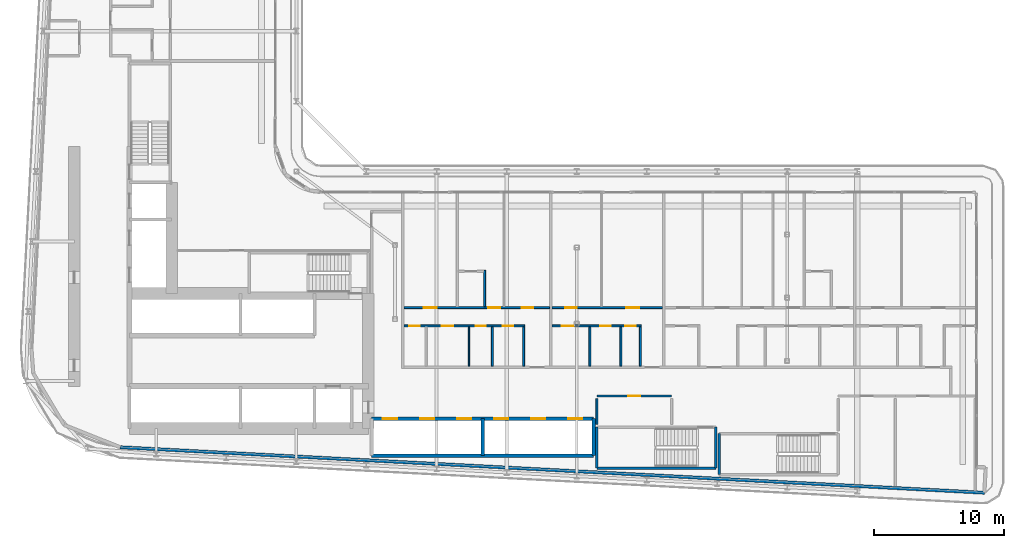
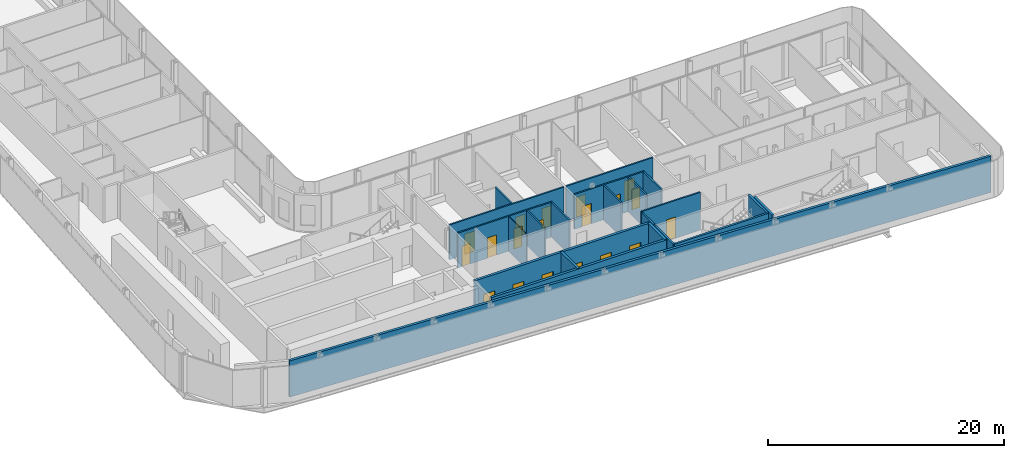
# One storey, part 13 of 25: 22 walls, 19 doors, 19 openings.
"""IFC4 building model written with IfcOpenShell, lengths in metres."""

from ifc_helpers import new_model, si_unit, direction, frame, frame_2d, origin, place, context, subcontext, project, spatial, rectangle, extrude, source, transform, mapped, material, layer, layer_set, type_object, element, fill, save


model = new_model("IFC4")

# Units and contexts
model_context = context("Model", 3, precision=1e-05, world=origin(), true_north=direction((0.0, 1.0)))
body_context = subcontext(model_context, "Body", "Model", "MODEL_VIEW")
ifc_project = project(units=[si_unit("LENGTHUNIT", "METRE"), si_unit("AREAUNIT", "SQUARE_METRE"), si_unit("VOLUMEUNIT", "CUBIC_METRE"), si_unit("PLANEANGLEUNIT", "RADIAN"), si_unit("MASSUNIT", "GRAM", prefix="KILO")], contexts=[model_context])

# Site, building, storey
site_placement = place(None, origin())
site = spatial("IfcSite", under=ifc_project, at=site_placement, CompositionType="ELEMENT")
building_placement = place(site_placement, origin())
building = spatial("IfcBuilding", under=site, at=building_placement, Name="Kheshtan School and Residences Tower", CompositionType="ELEMENT")
storey_placement = place(building_placement, frame((0.0, 0.0, 113.60009765625)))
storey = spatial("IfcBuildingStorey", under=building, at=storey_placement, Name="L26", CompositionType="ELEMENT", Elevation=113.60009765625)

# Walls
ifc_material_1 = material(Name="Concrete C40/50 with ceramic cladding and mineral wool insulation", Category="concrete")
ifc_layer_1 = layer(ifc_material_1, 0.25)
ifc_layer_set_1 = layer_set([ifc_layer_1], Name="External wall 250 ceramic clad")
wall_type_1 = type_object("IfcWallType", Name="External wall 250 ceramic clad", PredefinedType="SOLIDWALL", material=ifc_layer_set_1)
wall_1_placement = place(storey_placement, frame((100.5859375, 20.85009765625, 0.0), z_axis=(0.0, 0.0, 1.0), x_axis=(-0.99861746497, 0.052565755559, 0.0)))
element("IfcWall", 1, at=wall_1_placement, inside=storey, type_object=wall_type_1, Name="External wall L26 12", PredefinedType="SOLIDWALL", context=body_context, shape_type="SweptSolid", body=[
    extrude(rectangle(XDim=66.638916015625, YDim=0.25, at=frame_2d((33.3193359375, 0.0))), origin(), (0.0, 0.0, 1.0), 3.75),
])
ifc_material_2 = material(Name="Gypsum board on steel studs", Category="steel")
ifc_layer_2 = layer(ifc_material_2, 0.10009765625)
ifc_layer_set_2 = layer_set([ifc_layer_2], Name="Gypsum partition 100")
wall_type_2 = type_object("IfcWallType", Name="Gypsum partition 100", PredefinedType="PARTITIONING", material=ifc_layer_set_2)
wall_2_placement = place(storey_placement, frame((60.89990234375, 30.60009765625, 0.0), z_axis=(0.0, 0.0, 1.0), x_axis=(0.0, 1.0, 0.0)))
element("IfcWall", 2, at=wall_2_placement, inside=storey, type_object=wall_type_2, Name="Partition L26-039", PredefinedType="PARTITIONING", context=body_context, shape_type="SweptSolid", body=[
    extrude(rectangle(XDim=3.02490234375, YDim=0.10009765625, at=frame_2d((1.512451171875, 0.0))), origin(), (0.0, 0.0, 1.0), 3.599853515625),
])

# Wall, opening, door
ifc_material_3 = material(Name="Fire-board shaft wall system")
ifc_layer_3 = layer(ifc_material_3, 0.14990234375)
ifc_layer_set_3 = layer_set([ifc_layer_3], Name="Service room wall 150")
wall_type_3 = type_object("IfcWallType", Name="Service room wall 150", PredefinedType="PARTITIONING", material=ifc_layer_set_3)
wall_3_placement = place(storey_placement, frame((70.75, 28.300048828125, 0.0), z_axis=(0.0, 0.0, 1.0), x_axis=(1.0, 0.0, 0.0)))
wall_3 = element("IfcWall", 3, at=wall_3_placement, inside=storey, type_object=wall_type_3, Name="Service room wall", PredefinedType="PARTITIONING", context=body_context, shape_type="SweptSolid", body=[
    extrude(rectangle(XDim=5.760009765625, YDim=0.14990234375, at=frame_2d((2.8798828125, 0.0))), origin(), (0.0, 0.0, 1.0), 3.89990234375),
])
opening_1_placement = place(wall_3_placement, frame((2.429931640625, 0.0, 0.0)))
opening_1 = element("IfcOpeningElement", 4, at=opening_1_placement, cuts=wall_3, Name="Opening SR90", PredefinedType="OPENING", context=body_context, shape_type="SweptSolid", body=[
    extrude(rectangle(XDim=0.89990234375, YDim=2.199951171875, at=frame_2d((0.449951171875, 1.10009765625))), frame((0.0, 0.0849609375, 0.0), z_axis=(0.0, -1.0, 0.0), x_axis=(1.0, 0.0, 0.0)), (0.0, 0.0, 1.0), 0.169921875),
])
ifc_material_4 = material(Name="Steel door leaf, galvanised", Category="steel")
door_type_1 = type_object("IfcDoorType", Name="Service room door 900 steel 90 min", OperationType="SINGLE_SWING_LEFT", PredefinedType="DOOR", material=ifc_material_4)
shared_shape_1 = source(origin(), body_context, "Body", "SweptSolid", [
    extrude(rectangle(XDim=0.89990234375, YDim=2.199951171875, at=frame_2d((0.449951171875, 1.10009765625))), frame((0.0, 0.02490234375, 0.0), z_axis=(0.0, -1.0, 0.0), x_axis=(1.0, 0.0, 0.0)), (0.0, 0.0, 1.0), 0.050048828125),
])
door_1_placement = place(opening_1_placement, origin())
door_1 = element("IfcDoor", 5, at=door_1_placement, inside=storey, type_object=door_type_1, Name="Service room door", OperationType="SINGLE_SWING_LEFT", OverallHeight=2.199951171875, OverallWidth=0.89990234375, PredefinedType="DOOR", context=body_context, shape_type="MappedRepresentation", body=[
    mapped(shared_shape_1, transform((0.0, 0.0, 0.0), x_axis=(1.0, 0.0, 0.0), y_axis=(0.0, 1.0, 0.0), z_axis=(0.0, 0.0, 1.0), scale=1.0)),
])
fill(opening_1, door_1)

# Walls
wall_4_placement = place(storey_placement, frame((70.75, 26.1201171875, 0.0), z_axis=(0.0, 0.0, 1.0), x_axis=(0.0, 1.0, 0.0)))
element("IfcWall", 6, at=wall_4_placement, inside=storey, type_object=wall_type_3, Name="Service room wall", PredefinedType="PARTITIONING", context=body_context, shape_type="SweptSolid", body=[
    extrude(rectangle(XDim=1.98486328125, YDim=0.14990234375, at=frame_2d((0.992431640625, 0.0))), origin(), (0.0, 0.0, 1.0), 3.89990234375),
])
ifc_layer_4 = layer(ifc_material_3, 0.25)
ifc_layer_set_4 = layer_set([ifc_layer_4], Name="Shaft lining wall 250")
wall_type_4 = type_object("IfcWallType", Name="Shaft lining wall 250", PredefinedType="PARTITIONING", material=ifc_layer_set_4)
for number, where, z_axis, x_axis, name in (
    (7, (61.949951171875, 23.699951171875, 0.0), (0.0, 0.0, 1.0), (0.0, 1.0, 0.0), "Shaft lining wall"),
    (8, (70.5, 23.699951171875, 0.0), (0.0, 0.0, 1.0), (0.0, 1.0, 0.0), "Shaft lining wall"),
):
    element("IfcWall", number, at=place(storey_placement, frame(where, z_axis=z_axis, x_axis=x_axis)), inside=storey, type_object=wall_type_4, Name=name, PredefinedType="PARTITIONING", context=body_context, shape_type="SweptSolid", body=[
        extrude(rectangle(XDim=2.85009765625, YDim=0.25, at=frame_2d((1.425048828125, 0.0))), origin(), (0.0, 0.0, 1.0), 3.89990234375),
    ])
wall_5_placement = place(storey_placement, frame((53.39990234375, 23.699951171875, 0.0), z_axis=(0.0, 0.0, 1.0), x_axis=(1.0, 0.0, 0.0)))
element("IfcWall", 9, at=wall_5_placement, inside=storey, type_object=wall_type_4, Name="Shaft lining wall", PredefinedType="PARTITIONING", context=body_context, shape_type="SweptSolid", body=[
    extrude(rectangle(XDim=17.10009765625, YDim=0.25, at=frame_2d((8.550048828125, 0.0))), origin(), (0.0, 0.0, 1.0), 3.89990234375),
])

# Wall, openings, doors
wall_6_placement = place(storey_placement, frame((53.39990234375, 26.550048828125, 0.0), z_axis=(0.0, 0.0, 1.0), x_axis=(1.0, 0.0, 0.0)))
wall_6 = element("IfcWall", 10, at=wall_6_placement, inside=storey, type_object=wall_type_4, Name="Shaft lining wall", PredefinedType="PARTITIONING", context=body_context, shape_type="SweptSolid", body=[
    extrude(rectangle(XDim=17.10009765625, YDim=0.25, at=frame_2d((8.550048828125, 0.0))), origin(), (0.0, 0.0, 1.0), 3.89990234375),
])
opening_2_placement = place(wall_6_placement, frame((0.875, 0.0, 0.0)))
opening_2 = element("IfcOpeningElement", 11, at=opening_2_placement, cuts=wall_6, Name="Opening LD", PredefinedType="OPENING", context=body_context, shape_type="SweptSolid", body=[
    extrude(rectangle(XDim=1.10009765625, YDim=2.199951171875, at=frame_2d((0.550048828125, 1.10009765625))), frame((0.0, 0.135009765625, 0.0), z_axis=(0.0, -1.0, 0.0), x_axis=(1.0, 0.0, 0.0)), (0.0, 0.0, 1.0), 0.27001953125),
])
opening_3_placement = place(wall_6_placement, frame((3.72509765625, 0.0, 0.0)))
opening_3 = element("IfcOpeningElement", 12, at=opening_3_placement, cuts=wall_6, Name="Opening LD", PredefinedType="OPENING", context=body_context, shape_type="SweptSolid", body=[
    extrude(rectangle(XDim=1.10009765625, YDim=2.199951171875, at=frame_2d((0.550048828125, 1.10009765625))), frame((0.0, 0.135009765625, 0.0), z_axis=(0.0, -1.0, 0.0), x_axis=(1.0, 0.0, 0.0)), (0.0, 0.0, 1.0), 0.27001953125),
])
opening_4_placement = place(wall_6_placement, frame((6.574951171875, 0.0, 0.0)))
opening_4 = element("IfcOpeningElement", 13, at=opening_4_placement, cuts=wall_6, Name="Opening LD", PredefinedType="OPENING", context=body_context, shape_type="SweptSolid", body=[
    extrude(rectangle(XDim=1.10009765625, YDim=2.199951171875, at=frame_2d((0.550048828125, 1.10009765625))), frame((0.0, 0.135009765625, 0.0), z_axis=(0.0, -1.0, 0.0), x_axis=(1.0, 0.0, 0.0)), (0.0, 0.0, 1.0), 0.27001953125),
])
opening_5_placement = place(wall_6_placement, frame((9.425048828125, 0.0, 0.0)))
opening_5 = element("IfcOpeningElement", 14, at=opening_5_placement, cuts=wall_6, Name="Opening LD", PredefinedType="OPENING", context=body_context, shape_type="SweptSolid", body=[
    extrude(rectangle(XDim=1.10009765625, YDim=2.199951171875, at=frame_2d((0.550048828125, 1.10009765625))), frame((0.0, 0.135009765625, 0.0), z_axis=(0.0, -1.0, 0.0), x_axis=(1.0, 0.0, 0.0)), (0.0, 0.0, 1.0), 0.27001953125),
])
opening_6_placement = place(wall_6_placement, frame((12.27490234375, 0.0, 0.0)))
opening_6 = element("IfcOpeningElement", 15, at=opening_6_placement, cuts=wall_6, Name="Opening LD", PredefinedType="OPENING", context=body_context, shape_type="SweptSolid", body=[
    extrude(rectangle(XDim=1.10009765625, YDim=2.199951171875, at=frame_2d((0.550048828125, 1.10009765625))), frame((0.0, 0.135009765625, 0.0), z_axis=(0.0, -1.0, 0.0), x_axis=(1.0, 0.0, 0.0)), (0.0, 0.0, 1.0), 0.27001953125),
])
opening_7_placement = place(wall_6_placement, frame((15.125, 0.0, 0.0)))
opening_7 = element("IfcOpeningElement", 16, at=opening_7_placement, cuts=wall_6, Name="Opening LD", PredefinedType="OPENING", context=body_context, shape_type="SweptSolid", body=[
    extrude(rectangle(XDim=1.10009765625, YDim=2.199951171875, at=frame_2d((0.550048828125, 1.10009765625))), frame((0.0, 0.135009765625, 0.0), z_axis=(0.0, -1.0, 0.0), x_axis=(1.0, 0.0, 0.0)), (0.0, 0.0, 1.0), 0.27001953125),
])
ifc_material_5 = material(Name="Stainless steel door leaves", Category="steel")
door_type_2 = type_object("IfcDoorType", Name="Lift landing door 1100", OperationType="SLIDING_TO_LEFT", PredefinedType="DOOR", material=ifc_material_5)
shared_shape_2 = source(origin(), body_context, "Body", "SweptSolid", [
    extrude(rectangle(XDim=1.10009765625, YDim=2.199951171875, at=frame_2d((0.550048828125, 1.10009765625))), frame((0.0, 0.02490234375, 0.0), z_axis=(0.0, -1.0, 0.0), x_axis=(1.0, 0.0, 0.0)), (0.0, 0.0, 1.0), 0.050048828125),
])
door_2_placement = place(opening_2_placement, origin())
door_2 = element("IfcDoor", 17, at=door_2_placement, inside=storey, type_object=door_type_2, Name="Lift P1 landing door", OperationType="SLIDING_TO_LEFT", OverallHeight=2.199951171875, OverallWidth=1.10009765625, PredefinedType="DOOR", context=body_context, shape_type="MappedRepresentation", body=[
    mapped(shared_shape_2, transform((0.0, 0.0, 0.0), x_axis=(1.0, 0.0, 0.0), y_axis=(0.0, 1.0, 0.0), z_axis=(0.0, 0.0, 1.0), scale=1.0)),
])
fill(opening_2, door_2)
door_3_placement = place(opening_3_placement, origin())
door_3 = element("IfcDoor", 18, at=door_3_placement, inside=storey, type_object=door_type_2, Name="Lift P2 landing door", OperationType="SLIDING_TO_LEFT", OverallHeight=2.199951171875, OverallWidth=1.10009765625, PredefinedType="DOOR", context=body_context, shape_type="MappedRepresentation", body=[
    mapped(shared_shape_2, transform((0.0, 0.0, 0.0), x_axis=(1.0, 0.0, 0.0), y_axis=(0.0, 1.0, 0.0), z_axis=(0.0, 0.0, 1.0), scale=1.0)),
])
fill(opening_3, door_3)
door_4_placement = place(opening_4_placement, origin())
door_4 = element("IfcDoor", 19, at=door_4_placement, inside=storey, type_object=door_type_2, Name="Lift P3 landing door", OperationType="SLIDING_TO_LEFT", OverallHeight=2.199951171875, OverallWidth=1.10009765625, PredefinedType="DOOR", context=body_context, shape_type="MappedRepresentation", body=[
    mapped(shared_shape_2, transform((0.0, 0.0, 0.0), x_axis=(1.0, 0.0, 0.0), y_axis=(0.0, 1.0, 0.0), z_axis=(0.0, 0.0, 1.0), scale=1.0)),
])
fill(opening_4, door_4)
door_5_placement = place(opening_5_placement, origin())
door_5 = element("IfcDoor", 20, at=door_5_placement, inside=storey, type_object=door_type_2, Name="Lift P4 landing door", OperationType="SLIDING_TO_LEFT", OverallHeight=2.199951171875, OverallWidth=1.10009765625, PredefinedType="DOOR", context=body_context, shape_type="MappedRepresentation", body=[
    mapped(shared_shape_2, transform((0.0, 0.0, 0.0), x_axis=(1.0, 0.0, 0.0), y_axis=(0.0, 1.0, 0.0), z_axis=(0.0, 0.0, 1.0), scale=1.0)),
])
fill(opening_5, door_5)
door_6_placement = place(opening_6_placement, origin())
door_6 = element("IfcDoor", 21, at=door_6_placement, inside=storey, type_object=door_type_2, Name="Lift P5 landing door", OperationType="SLIDING_TO_LEFT", OverallHeight=2.199951171875, OverallWidth=1.10009765625, PredefinedType="DOOR", context=body_context, shape_type="MappedRepresentation", body=[
    mapped(shared_shape_2, transform((0.0, 0.0, 0.0), x_axis=(1.0, 0.0, 0.0), y_axis=(0.0, 1.0, 0.0), z_axis=(0.0, 0.0, 1.0), scale=1.0)),
])
fill(opening_6, door_6)
door_7_placement = place(opening_7_placement, origin())
door_7 = element("IfcDoor", 22, at=door_7_placement, inside=storey, type_object=door_type_2, Name="Lift P6 landing door", OperationType="SLIDING_TO_LEFT", OverallHeight=2.199951171875, OverallWidth=1.10009765625, PredefinedType="DOOR", context=body_context, shape_type="MappedRepresentation", body=[
    mapped(shared_shape_2, transform((0.0, 0.0, 0.0), x_axis=(1.0, 0.0, 0.0), y_axis=(0.0, 1.0, 0.0), z_axis=(0.0, 0.0, 1.0), scale=1.0)),
])
fill(opening_7, door_7)

# Walls
ifc_material_6 = material(Name="Concrete C40/50", Category="concrete")
ifc_layer_5 = layer(ifc_material_6, 0.199951171875)
ifc_layer_set_5 = layer_set([ifc_layer_5], Name="Stair enclosure wall 200 Concrete C40/50")
wall_type_5 = type_object("IfcWallType", Name="Stair enclosure wall 200 Concrete C40/50", PredefinedType="SHEAR", material=ifc_layer_set_5)
wall_7_placement = place(storey_placement, frame((80.159912109375, 22.25, 0.0), z_axis=(0.0, 0.0, 1.0), x_axis=(0.0, 1.0, 0.0)))
element("IfcWall", 23, at=wall_7_placement, inside=storey, type_object=wall_type_5, Name="Stair enclosure wall ST4", PredefinedType="SHEAR", context=body_context, shape_type="SweptSolid", body=[
    extrude(rectangle(XDim=3.14990234375, YDim=0.199951171875, at=frame_2d((1.574951171875, 0.0))), origin(), (0.0, 0.0, 1.0), 3.89990234375),
])
wall_8_placement = place(storey_placement, frame((70.75, 22.75, 0.0), z_axis=(0.0, 0.0, 1.0), x_axis=(1.0, 0.0, 0.0)))
element("IfcWall", 24, at=wall_8_placement, inside=storey, type_object=wall_type_5, Name="Stair enclosure wall ST5", PredefinedType="SHEAR", context=body_context, shape_type="SweptSolid", body=[
    extrude(rectangle(XDim=9.159912109375, YDim=0.199951171875, at=frame_2d((4.580078125, 0.0))), origin(), (0.0, 0.0, 1.0), 3.89990234375),
])
for number, where, z_axis, x_axis, name in (
    (25, (70.75, 22.75, 0.0), (0.0, 0.0, 1.0), (0.0, 1.0, 0.0), "Stair enclosure wall ST5"),
    (26, (79.909912109375, 22.75, 0.0), (0.0, 0.0, 1.0), (0.0, 1.0, 0.0), "Stair enclosure wall ST5"),
):
    element("IfcWall", number, at=place(storey_placement, frame(where, z_axis=z_axis, x_axis=x_axis)), inside=storey, type_object=wall_type_5, Name=name, PredefinedType="SHEAR", context=body_context, shape_type="SweptSolid", body=[
        extrude(rectangle(XDim=3.14990234375, YDim=0.199951171875, at=frame_2d((1.574951171875, 0.0))), origin(), (0.0, 0.0, 1.0), 3.89990234375),
    ])

# Wall, openings, doors
ifc_material_7 = material(Name="Moisture-resistant gypsum board on steel studs", Category="steel")
ifc_layer_6 = layer(ifc_material_7, 0.14990234375)
ifc_layer_set_6 = layer_set([ifc_layer_6], Name="Wet-room partition 150")
wall_type_6 = type_object("IfcWallType", Name="Wet-room partition 150", PredefinedType="PARTITIONING", material=ifc_layer_set_6)
wall_9_placement = place(storey_placement, frame((55.89990234375, 33.699951171875, 0.0), z_axis=(0.0, 0.0, 1.0), x_axis=(1.0, 0.0, 0.0)))
wall_9 = element("IfcWall", 27, at=wall_9_placement, inside=storey, type_object=wall_type_6, Name="Partition L26-034", PredefinedType="PARTITIONING", context=body_context, shape_type="SweptSolid", body=[
    extrude(rectangle(XDim=9.275146484375, YDim=0.14990234375, at=frame_2d((4.6376953125, 0.0))), origin(), (0.0, 0.0, 1.0), 3.599853515625),
])
opening_8_placement = place(wall_9_placement, frame((7.60009765625, 0.0, 0.0)))
opening_8 = element("IfcOpeningElement", 28, at=opening_8_placement, cuts=wall_9, Name="Opening D25-001", PredefinedType="OPENING", context=body_context, shape_type="SweptSolid", body=[
    extrude(rectangle(XDim=0.800048828125, YDim=2.10009765625, at=frame_2d((0.39990234375, 1.050048828125))), frame((0.0, 0.0849609375, 0.0), z_axis=(0.0, -1.0, 0.0), x_axis=(1.0, 0.0, 0.0)), (0.0, 0.0, 1.0), 0.169921875),
])
opening_9_placement = place(wall_9_placement, frame((2.89990234375, 0.0, 0.0)))
opening_9 = element("IfcOpeningElement", 29, at=opening_9_placement, cuts=wall_9, Name="Opening D25-005", PredefinedType="OPENING", context=body_context, shape_type="SweptSolid", body=[
    extrude(rectangle(XDim=0.89990234375, YDim=2.10009765625, at=frame_2d((0.449951171875, 1.050048828125))), frame((0.0, 0.0849609375, 0.0), z_axis=(0.0, -1.0, 0.0), x_axis=(1.0, 0.0, 0.0)), (0.0, 0.0, 1.0), 0.169921875),
])
opening_10_placement = place(wall_9_placement, frame((5.5, 0.0, 0.0)))
opening_10 = element("IfcOpeningElement", 30, at=opening_10_placement, cuts=wall_9, Name="Opening D25-008", PredefinedType="OPENING", context=body_context, shape_type="SweptSolid", body=[
    extrude(rectangle(XDim=0.800048828125, YDim=2.10009765625, at=frame_2d((0.39990234375, 1.050048828125))), frame((0.0, 0.0849609375, 0.0), z_axis=(0.0, -1.0, 0.0), x_axis=(1.0, 0.0, 0.0)), (0.0, 0.0, 1.0), 0.169921875),
])
opening_11_placement = place(wall_9_placement, frame((0.39990234375, 0.0, 0.0)))
opening_11 = element("IfcOpeningElement", 31, at=opening_11_placement, cuts=wall_9, Name="Opening D25-009", PredefinedType="OPENING", context=body_context, shape_type="SweptSolid", body=[
    extrude(rectangle(XDim=0.800048828125, YDim=2.10009765625, at=frame_2d((0.39990234375, 1.050048828125))), frame((0.0, 0.0849609375, 0.0), z_axis=(0.0, -1.0, 0.0), x_axis=(1.0, 0.0, 0.0)), (0.0, 0.0, 1.0), 0.169921875),
])
ifc_material_8 = material(Name="Veneered timber door leaf", Category="wood")
door_type_3 = type_object("IfcDoorType", Name="Door 800 x 2100", OperationType="SINGLE_SWING_LEFT", PredefinedType="DOOR", material=ifc_material_8)
shared_shape_3 = source(origin(), body_context, "Body", "SweptSolid", [
    extrude(rectangle(XDim=0.800048828125, YDim=2.10009765625, at=frame_2d((0.39990234375, 1.050048828125))), frame((0.0, 0.02490234375, 0.0), z_axis=(0.0, -1.0, 0.0), x_axis=(1.0, 0.0, 0.0)), (0.0, 0.0, 1.0), 0.050048828125),
])
door_8_placement = place(opening_8_placement, origin())
door_8 = element("IfcDoor", 32, at=door_8_placement, inside=storey, type_object=door_type_3, Name="Door D25-001", OperationType="SINGLE_SWING_LEFT", OverallHeight=2.10009765625, OverallWidth=0.800048828125, PredefinedType="DOOR", context=body_context, shape_type="MappedRepresentation", body=[
    mapped(shared_shape_3, transform((0.0, 0.0, 0.0), x_axis=(1.0, 0.0, 0.0), y_axis=(0.0, 1.0, 0.0), z_axis=(0.0, 0.0, 1.0), scale=1.0)),
])
fill(opening_8, door_8)
door_9_placement = place(opening_10_placement, origin())
door_9 = element("IfcDoor", 33, at=door_9_placement, inside=storey, type_object=door_type_3, Name="Door D25-008", OperationType="SINGLE_SWING_RIGHT", OverallHeight=2.10009765625, OverallWidth=0.800048828125, PredefinedType="DOOR", context=body_context, shape_type="MappedRepresentation", body=[
    mapped(shared_shape_3, transform((0.0, 0.0, 0.0), x_axis=(1.0, 0.0, 0.0), y_axis=(0.0, 1.0, 0.0), z_axis=(0.0, 0.0, 1.0), scale=1.0)),
])
fill(opening_10, door_9)
door_10_placement = place(opening_11_placement, origin())
door_10 = element("IfcDoor", 34, at=door_10_placement, inside=storey, type_object=door_type_3, Name="Door D25-009", OperationType="SINGLE_SWING_LEFT", OverallHeight=2.10009765625, OverallWidth=0.800048828125, PredefinedType="DOOR", context=body_context, shape_type="MappedRepresentation", body=[
    mapped(shared_shape_3, transform((0.0, 0.0, 0.0), x_axis=(1.0, 0.0, 0.0), y_axis=(0.0, 1.0, 0.0), z_axis=(0.0, 0.0, 1.0), scale=1.0)),
])
fill(opening_11, door_10)
door_type_4 = type_object("IfcDoorType", Name="Door 900 x 2100", OperationType="SINGLE_SWING_LEFT", PredefinedType="DOOR", material=ifc_material_8)
shared_shape_4 = source(origin(), body_context, "Body", "SweptSolid", [
    extrude(rectangle(XDim=0.89990234375, YDim=2.10009765625, at=frame_2d((0.449951171875, 1.050048828125))), frame((0.0, 0.02490234375, 0.0), z_axis=(0.0, -1.0, 0.0), x_axis=(1.0, 0.0, 0.0)), (0.0, 0.0, 1.0), 0.050048828125),
])
door_11_placement = place(opening_9_placement, origin())
door_11 = element("IfcDoor", 35, at=door_11_placement, inside=storey, type_object=door_type_4, Name="Door D25-005", OperationType="SINGLE_SWING_RIGHT", OverallHeight=2.10009765625, OverallWidth=0.89990234375, PredefinedType="DOOR", context=body_context, shape_type="MappedRepresentation", body=[
    mapped(shared_shape_4, transform((0.0, 0.0, 0.0), x_axis=(1.0, 0.0, 0.0), y_axis=(0.0, 1.0, 0.0), z_axis=(0.0, 0.0, 1.0), scale=1.0)),
])
fill(opening_9, door_11)

wall_10_placement = place(storey_placement, frame((55.89990234375, 35.10009765625, 0.0), z_axis=(0.0, 0.0, 1.0), x_axis=(1.0, 0.0, 0.0)))
wall_10 = element("IfcWall", 36, at=wall_10_placement, inside=storey, type_object=wall_type_6, Name="Partition L26-035", PredefinedType="PARTITIONING", context=body_context, shape_type="SweptSolid", body=[
    extrude(rectangle(XDim=11.2001953125, YDim=0.14990234375, at=frame_2d((5.60009765625, 0.0))), origin(), (0.0, 0.0, 1.0), 3.599853515625),
])
opening_12_placement = place(wall_10_placement, frame((9.050048828125, 0.0, 0.0)))
opening_12 = element("IfcOpeningElement", 37, at=opening_12_placement, cuts=wall_10, Name="Opening D25-002", PredefinedType="OPENING", context=body_context, shape_type="SweptSolid", body=[
    extrude(rectangle(XDim=0.89990234375, YDim=2.10009765625, at=frame_2d((0.449951171875, 1.050048828125))), frame((0.0, 0.0849609375, 0.0), z_axis=(0.0, -1.0, 0.0), x_axis=(1.0, 0.0, 0.0)), (0.0, 0.0, 1.0), 0.169921875),
])
opening_13_placement = place(wall_10_placement, frame((1.5, 0.0, 0.0)))
opening_13 = element("IfcOpeningElement", 38, at=opening_13_placement, cuts=wall_10, Name="Opening D25-006", PredefinedType="OPENING", context=body_context, shape_type="SweptSolid", body=[
    extrude(rectangle(XDim=1.0, YDim=2.10009765625, at=frame_2d((0.5, 1.050048828125))), frame((0.0, 0.0849609375, 0.0), z_axis=(0.0, -1.0, 0.0), x_axis=(1.0, 0.0, 0.0)), (0.0, 0.0, 1.0), 0.169921875),
])
opening_14_placement = place(wall_10_placement, frame((6.5, 0.0, 0.0)))
opening_14 = element("IfcOpeningElement", 39, at=opening_14_placement, cuts=wall_10, Name="Opening D25-007", PredefinedType="OPENING", context=body_context, shape_type="SweptSolid", body=[
    extrude(rectangle(XDim=0.89990234375, YDim=2.10009765625, at=frame_2d((0.449951171875, 1.050048828125))), frame((0.0, 0.0849609375, 0.0), z_axis=(0.0, -1.0, 0.0), x_axis=(1.0, 0.0, 0.0)), (0.0, 0.0, 1.0), 0.169921875),
])
door_type_5 = type_object("IfcDoorType", Name="Door 1000 x 2100", OperationType="SINGLE_SWING_LEFT", PredefinedType="DOOR", material=ifc_material_8)
shared_shape_5 = source(origin(), body_context, "Body", "SweptSolid", [
    extrude(rectangle(XDim=1.0, YDim=2.10009765625, at=frame_2d((0.5, 1.050048828125))), frame((0.0, 0.02490234375, 0.0), z_axis=(0.0, -1.0, 0.0), x_axis=(1.0, 0.0, 0.0)), (0.0, 0.0, 1.0), 0.050048828125),
])
door_12_placement = place(opening_13_placement, origin())
door_12 = element("IfcDoor", 40, at=door_12_placement, inside=storey, type_object=door_type_5, Name="Door D25-006", OperationType="SINGLE_SWING_RIGHT", OverallHeight=2.10009765625, OverallWidth=1.0, PredefinedType="DOOR", context=body_context, shape_type="MappedRepresentation", body=[
    mapped(shared_shape_5, transform((0.0, 0.0, 0.0), x_axis=(1.0, 0.0, 0.0), y_axis=(0.0, 1.0, 0.0), z_axis=(0.0, 0.0, 1.0), scale=1.0)),
])
fill(opening_13, door_12)
door_13_placement = place(opening_12_placement, origin())
door_13 = element("IfcDoor", 41, at=door_13_placement, inside=storey, type_object=door_type_4, Name="Door D25-002", OperationType="SINGLE_SWING_LEFT", OverallHeight=2.10009765625, OverallWidth=0.89990234375, PredefinedType="DOOR", context=body_context, shape_type="MappedRepresentation", body=[
    mapped(shared_shape_4, transform((0.0, 0.0, 0.0), x_axis=(1.0, 0.0, 0.0), y_axis=(0.0, 1.0, 0.0), z_axis=(0.0, 0.0, 1.0), scale=1.0)),
])
fill(opening_12, door_13)
door_14_placement = place(opening_14_placement, origin())
door_14 = element("IfcDoor", 42, at=door_14_placement, inside=storey, type_object=door_type_4, Name="Door D25-007", OperationType="SINGLE_SWING_RIGHT", OverallHeight=2.10009765625, OverallWidth=0.89990234375, PredefinedType="DOOR", context=body_context, shape_type="MappedRepresentation", body=[
    mapped(shared_shape_4, transform((0.0, 0.0, 0.0), x_axis=(1.0, 0.0, 0.0), y_axis=(0.0, 1.0, 0.0), z_axis=(0.0, 0.0, 1.0), scale=1.0)),
])
fill(opening_14, door_14)

# Walls
wall_11_placement = place(storey_placement, frame((62.10009765625, 35.175048828125, 0.0), z_axis=(0.0, 0.0, 1.0), x_axis=(0.0, 1.0, 0.0)))
element("IfcWall", 43, at=wall_11_placement, inside=storey, type_object=wall_type_6, Name="Partition L26-040", PredefinedType="PARTITIONING", context=body_context, shape_type="SweptSolid", body=[
    extrude(rectangle(XDim=2.800048828125, YDim=0.14990234375, at=frame_2d((1.39990234375, 0.0))), origin(), (0.0, 0.0, 1.0), 3.599853515625),
])
for number, where, z_axis, x_axis, name in (
    (44, (62.699951171875, 30.60009765625, 0.0), (0.0, 0.0, 1.0), (0.0, 1.0, 0.0), "Partition L26-041"),
    (45, (65.10009765625, 30.60009765625, 0.0), (0.0, 0.0, 1.0), (0.0, 1.0, 0.0), "Partition L26-043"),
):
    element("IfcWall", number, at=place(storey_placement, frame(where, z_axis=z_axis, x_axis=x_axis)), inside=storey, type_object=wall_type_6, Name=name, PredefinedType="PARTITIONING", context=body_context, shape_type="SweptSolid", body=[
        extrude(rectangle(XDim=3.02490234375, YDim=0.14990234375, at=frame_2d((1.512451171875, 0.0))), origin(), (0.0, 0.0, 1.0), 3.599853515625),
    ])

# Wall, openings, doors
wall_12_placement = place(storey_placement, frame((67.300048828125, 33.699951171875, 0.0), z_axis=(0.0, 0.0, 1.0), x_axis=(1.0, 0.0, 0.0)))
wall_12 = element("IfcWall", 46, at=wall_12_placement, inside=storey, type_object=wall_type_6, Name="Partition L26-045", PredefinedType="PARTITIONING", context=body_context, shape_type="SweptSolid", body=[
    extrude(rectangle(XDim=6.875, YDim=0.14990234375, at=frame_2d((3.4375, 0.0))), origin(), (0.0, 0.0, 1.0), 3.599853515625),
])
opening_15_placement = place(wall_12_placement, frame((3.699951171875, 0.0, 0.0)))
opening_15 = element("IfcOpeningElement", 47, at=opening_15_placement, cuts=wall_12, Name="Opening D25-010", PredefinedType="OPENING", context=body_context, shape_type="SweptSolid", body=[
    extrude(rectangle(XDim=0.800048828125, YDim=2.10009765625, at=frame_2d((0.39990234375, 1.050048828125))), frame((0.0, 0.0849609375, 0.0), z_axis=(0.0, -1.0, 0.0), x_axis=(1.0, 0.0, 0.0)), (0.0, 0.0, 1.0), 0.169921875),
])
opening_16_placement = place(wall_12_placement, frame((0.75, 0.0, 0.0)))
opening_16 = element("IfcOpeningElement", 48, at=opening_16_placement, cuts=wall_12, Name="Opening D25-013", PredefinedType="OPENING", context=body_context, shape_type="SweptSolid", body=[
    extrude(rectangle(XDim=0.89990234375, YDim=2.10009765625, at=frame_2d((0.449951171875, 1.050048828125))), frame((0.0, 0.0849609375, 0.0), z_axis=(0.0, -1.0, 0.0), x_axis=(1.0, 0.0, 0.0)), (0.0, 0.0, 1.0), 0.169921875),
])
opening_17_placement = place(wall_12_placement, frame((5.64990234375, 0.0, 0.0)))
opening_17 = element("IfcOpeningElement", 49, at=opening_17_placement, cuts=wall_12, Name="Opening D25-015", PredefinedType="OPENING", context=body_context, shape_type="SweptSolid", body=[
    extrude(rectangle(XDim=0.800048828125, YDim=2.10009765625, at=frame_2d((0.39990234375, 1.050048828125))), frame((0.0, 0.0849609375, 0.0), z_axis=(0.0, -1.0, 0.0), x_axis=(1.0, 0.0, 0.0)), (0.0, 0.0, 1.0), 0.169921875),
])
door_15_placement = place(opening_15_placement, origin())
door_15 = element("IfcDoor", 50, at=door_15_placement, inside=storey, type_object=door_type_3, Name="Door D25-010", OperationType="SINGLE_SWING_RIGHT", OverallHeight=2.10009765625, OverallWidth=0.800048828125, PredefinedType="DOOR", context=body_context, shape_type="MappedRepresentation", body=[
    mapped(shared_shape_3, transform((0.0, 0.0, 0.0), x_axis=(1.0, 0.0, 0.0), y_axis=(0.0, 1.0, 0.0), z_axis=(0.0, 0.0, 1.0), scale=1.0)),
])
fill(opening_15, door_15)
door_16_placement = place(opening_17_placement, origin())
door_16 = element("IfcDoor", 51, at=door_16_placement, inside=storey, type_object=door_type_3, Name="Door D25-015", OperationType="SINGLE_SWING_LEFT", OverallHeight=2.10009765625, OverallWidth=0.800048828125, PredefinedType="DOOR", context=body_context, shape_type="MappedRepresentation", body=[
    mapped(shared_shape_3, transform((0.0, 0.0, 0.0), x_axis=(1.0, 0.0, 0.0), y_axis=(0.0, 1.0, 0.0), z_axis=(0.0, 0.0, 1.0), scale=1.0)),
])
fill(opening_17, door_16)
door_17_placement = place(opening_16_placement, origin())
door_17 = element("IfcDoor", 52, at=door_17_placement, inside=storey, type_object=door_type_4, Name="Door D25-013", OperationType="SINGLE_SWING_RIGHT", OverallHeight=2.10009765625, OverallWidth=0.89990234375, PredefinedType="DOOR", context=body_context, shape_type="MappedRepresentation", body=[
    mapped(shared_shape_4, transform((0.0, 0.0, 0.0), x_axis=(1.0, 0.0, 0.0), y_axis=(0.0, 1.0, 0.0), z_axis=(0.0, 0.0, 1.0), scale=1.0)),
])
fill(opening_16, door_17)

wall_13_placement = place(storey_placement, frame((67.300048828125, 35.10009765625, 0.0), z_axis=(0.0, 0.0, 1.0), x_axis=(1.0, 0.0, 0.0)))
wall_13 = element("IfcWall", 53, at=wall_13_placement, inside=storey, type_object=wall_type_6, Name="Partition L26-046", PredefinedType="PARTITIONING", context=body_context, shape_type="SweptSolid", body=[
    extrude(rectangle(XDim=8.5, YDim=0.14990234375, at=frame_2d((4.25, 0.0))), origin(), (0.0, 0.0, 1.0), 3.599853515625),
])
opening_18_placement = place(wall_13_placement, frame((1.0, 0.0, 0.0)))
opening_18 = element("IfcOpeningElement", 54, at=opening_18_placement, cuts=wall_13, Name="Opening D25-011", PredefinedType="OPENING", context=body_context, shape_type="SweptSolid", body=[
    extrude(rectangle(XDim=0.89990234375, YDim=2.10009765625, at=frame_2d((0.449951171875, 1.050048828125))), frame((0.0, 0.0849609375, 0.0), z_axis=(0.0, -1.0, 0.0), x_axis=(1.0, 0.0, 0.0)), (0.0, 0.0, 1.0), 0.169921875),
])
opening_19_placement = place(wall_13_placement, frame((5.699951171875, 0.0, 0.0)))
opening_19 = element("IfcOpeningElement", 55, at=opening_19_placement, cuts=wall_13, Name="Opening D25-014", PredefinedType="OPENING", context=body_context, shape_type="SweptSolid", body=[
    extrude(rectangle(XDim=1.0, YDim=2.10009765625, at=frame_2d((0.5, 1.050048828125))), frame((0.0, 0.0849609375, 0.0), z_axis=(0.0, -1.0, 0.0), x_axis=(1.0, 0.0, 0.0)), (0.0, 0.0, 1.0), 0.169921875),
])
door_18_placement = place(opening_19_placement, origin())
door_18 = element("IfcDoor", 56, at=door_18_placement, inside=storey, type_object=door_type_5, Name="Door D25-014", OperationType="SINGLE_SWING_RIGHT", OverallHeight=2.10009765625, OverallWidth=1.0, PredefinedType="DOOR", context=body_context, shape_type="MappedRepresentation", body=[
    mapped(shared_shape_5, transform((0.0, 0.0, 0.0), x_axis=(1.0, 0.0, 0.0), y_axis=(0.0, 1.0, 0.0), z_axis=(0.0, 0.0, 1.0), scale=1.0)),
])
fill(opening_19, door_18)
door_19_placement = place(opening_18_placement, origin())
door_19 = element("IfcDoor", 57, at=door_19_placement, inside=storey, type_object=door_type_4, Name="Door D25-011", OperationType="SINGLE_SWING_RIGHT", OverallHeight=2.10009765625, OverallWidth=0.89990234375, PredefinedType="DOOR", context=body_context, shape_type="MappedRepresentation", body=[
    mapped(shared_shape_4, transform((0.0, 0.0, 0.0), x_axis=(1.0, 0.0, 0.0), y_axis=(0.0, 1.0, 0.0), z_axis=(0.0, 0.0, 1.0), scale=1.0)),
])
fill(opening_18, door_19)

# Walls
for number, where, z_axis, x_axis, name in (
    (58, (70.199951171875, 30.60009765625, 0.0), (0.0, 0.0, 1.0), (0.0, 1.0, 0.0), "Partition L26-047"),
    (59, (72.60009765625, 30.60009765625, 0.0), (0.0, 0.0, 1.0), (0.0, 1.0, 0.0), "Partition L26-049"),
    (60, (74.10009765625, 30.60009765625, 0.0), (0.0, 0.0, 1.0), (0.0, 1.0, 0.0), "Partition L26-050"),
):
    element("IfcWall", number, at=place(storey_placement, frame(where, z_axis=z_axis, x_axis=x_axis)), inside=storey, type_object=wall_type_6, Name=name, PredefinedType="PARTITIONING", context=body_context, shape_type="SweptSolid", body=[
        extrude(rectangle(XDim=3.02490234375, YDim=0.14990234375, at=frame_2d((1.512451171875, 0.0))), origin(), (0.0, 0.0, 1.0), 3.599853515625),
    ])

save(model, "model.ifc")
